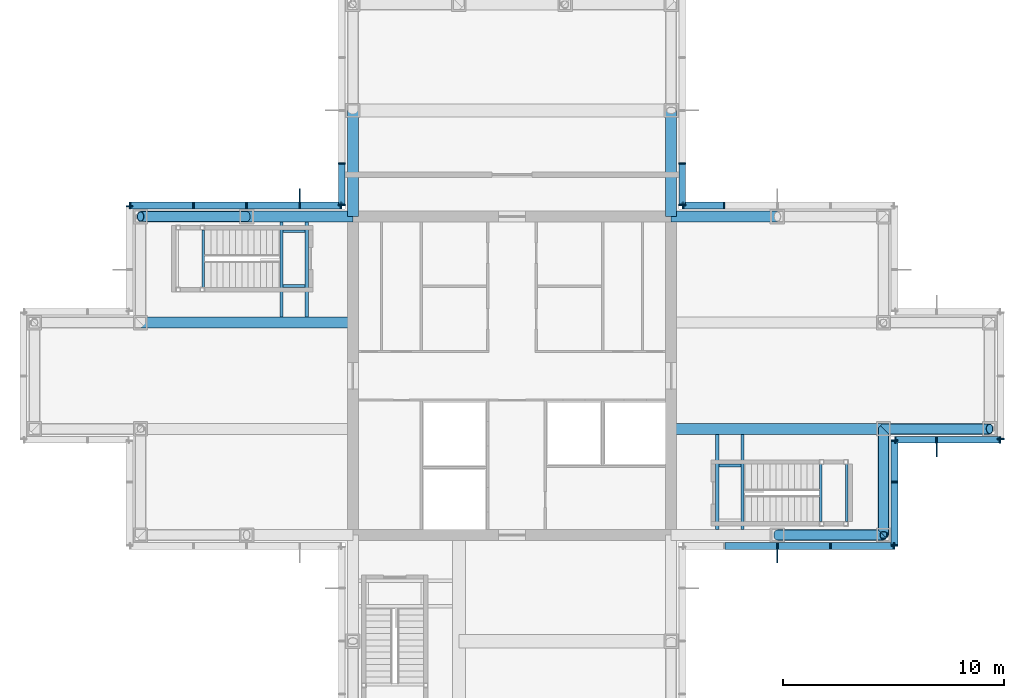
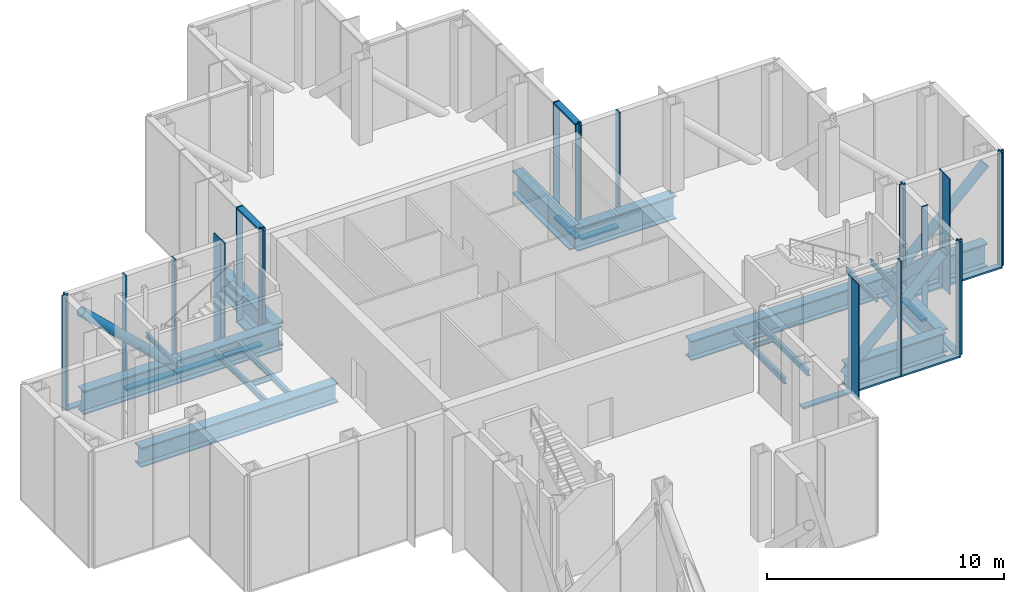
# One storey, part 7 of 13: 45 members, 20 beams, 9 elements without a shape of their own.
"""IFC4 building model written with IfcOpenShell, lengths in metres."""

from ifc_helpers import new_model, si_unit, direction, frame, origin, origin_2d, place, context, subcontext, project, spatial, rectangle, hollow_circle, i_section, extrude, material, material_profile, profile_set, type_object, element, aggregate, save


model = new_model("IFC4")

# Units and contexts
model_context = context("Model", 3, precision=1e-05, world=origin(), true_north=direction((0.0, 1.0)))
body_context = subcontext(model_context, "Body", "Model", "MODEL_VIEW")
ifc_project = project(units=[si_unit("LENGTHUNIT", "METRE"), si_unit("AREAUNIT", "SQUARE_METRE"), si_unit("VOLUMEUNIT", "CUBIC_METRE"), si_unit("PLANEANGLEUNIT", "RADIAN"), si_unit("MASSUNIT", "GRAM", prefix="KILO")], contexts=[model_context])

# Site, building, storey
site_placement = place(None, origin())
site = spatial("IfcSite", under=ifc_project, at=site_placement, CompositionType="ELEMENT")
building_placement = place(site_placement, origin())
building = spatial("IfcBuilding", under=site, at=building_placement, Name="Kvirike Care Tower", CompositionType="ELEMENT")
storey_placement = place(building_placement, frame((0.0, 0.0, 190.0)))
storey = spatial("IfcBuildingStorey", under=building, at=storey_placement, Name="L52", CompositionType="ELEMENT", Elevation=190.0)

# Members
ifc_material_1 = material(Name="Steel S355", Category="steel")
ifc_material_profile_1 = material_profile(ifc_material_1, hollow_circle(Radius=0.228515625, WallThickness=0.02490234375, at=origin_2d()), Name="CHS 457x25")
ifc_profile_set_1 = profile_set([ifc_material_profile_1], Name="Steel S355")
member_type_1 = type_object("IfcMemberType", Name="BELT TRUSS DIAGONAL CHS 457x25", PredefinedType="BRACE", material=ifc_profile_set_1)
member_1_placement = place(storey_placement, frame((33.60009765625, 28.800048828125, -0.85009765625), z_axis=(0.723472495583, 0.0, 0.690353205348), x_axis=(0.0, 1.0, 0.0)))
element("IfcMember", 1, at=member_1_placement, inside=storey, type_object=member_type_1, Name="Belt truss diagonal G10-G11 L52", PredefinedType="BRACE", context=body_context, shape_type="SweptSolid", body=[
    extrude(hollow_circle(Radius=0.228515625, WallThickness=0.02490234375, at=origin_2d()), origin(), (0.0, 0.0, 1.0), 6.63427734375),
])
for number, where, z_axis, x_axis, name in (
    (2, (38.39990234375, 33.60009765625, -0.85009765625), (0.0, -0.723490032929, 0.690334826191), (1.0, 0.0, 0.0), "Belt truss diagonal G11-H11 L52"),
    (3, (38.39990234375, 33.60009765625, -0.85009765625), (0.723490032929, 0.0, 0.690334826191), (0.0, 1.0, 0.0), "Belt truss diagonal H11-H12 L52"),
    (4, (9.60009765625, 43.199951171875, -0.85009765625), (-0.723490032929, 0.0, 0.690334826191), (0.0, -1.0, 0.0), "Belt truss diagonal K5-K4 L52"),
):
    element("IfcMember", number, at=place(storey_placement, frame(where, z_axis=z_axis, x_axis=x_axis)), inside=storey, type_object=member_type_1, Name=name, PredefinedType="BRACE", context=body_context, shape_type="SweptSolid", body=[
        extrude(hollow_circle(Radius=0.228515625, WallThickness=0.02490234375, at=origin_2d()), origin(), (0.0, 0.0, 1.0), 6.634521484375),
    ])

# Curtain wall, member
ifc_material_2 = material(Name="Anodised aluminium stick system", Category="aluminium")
curtain_wall_type = type_object("IfcCurtainWallType", Name="CW-L LOUVRED PLANT SCREEN", PredefinedType="NOTDEFINED", material=ifc_material_2)
curtain_wall_1_placement = place(storey_placement, origin())
curtain_wall_1 = element("IfcCurtainWall", 5, at=curtain_wall_1_placement, inside=storey, type_object=curtain_wall_type, Name="Curtain wall L52 face 1", PredefinedType="NOTDEFINED")
ifc_material_3 = material(Name="Bronze anodised aluminium fin", Category="aluminium")
ifc_material_profile_2 = material_profile(ifc_material_3, rectangle(XDim=0.050048828125, YDim=0.60009765625, at=origin_2d()), Name="BRONZE FIN 600")
ifc_profile_set_2 = profile_set([ifc_material_profile_2], Name="Bronze anodised aluminium fin")
member_type_2 = type_object("IfcMemberType", Name="BRONZE FIN 600", PredefinedType="USERDEFINED", material=ifc_profile_set_2)
member_2_placement = place(storey_placement, frame((33.60009765625, 27.85009765625, -1.449951171875), z_axis=(0.0, 0.0, 1.0), x_axis=(1.0, 0.0, 0.0)))
member_2 = element("IfcMember", 6, at=member_2_placement, type_object=member_type_2, Name="Bronze fin L52 face 1.3", ObjectType="FIN", PredefinedType="USERDEFINED", context=body_context, shape_type="SweptSolid", body=[
    extrude(rectangle(XDim=0.050048828125, YDim=0.60009765625, at=origin_2d()), origin(), (0.0, 0.0, 1.0), 5.949951171875),
])

curtain_wall_2_placement = place(storey_placement, origin())
curtain_wall_2 = element("IfcCurtainWall", 7, at=curtain_wall_2_placement, inside=storey, type_object=curtain_wall_type, Name="Curtain wall L52 face 3", PredefinedType="NOTDEFINED")
member_3_placement = place(storey_placement, frame((40.800048828125, 32.64990234375, -1.449951171875), z_axis=(0.0, 0.0, 1.0), x_axis=(1.0, 0.0, 0.0)))
member_3 = element("IfcMember", 8, at=member_3_placement, type_object=member_type_2, Name="Bronze fin L52 face 3.2", ObjectType="FIN", PredefinedType="USERDEFINED", context=body_context, shape_type="SweptSolid", body=[
    extrude(rectangle(XDim=0.050048828125, YDim=0.60009765625, at=origin_2d()), origin(), (0.0, 0.0, 1.0), 5.949951171875),
])

curtain_wall_3_placement = place(storey_placement, origin())
curtain_wall_3 = element("IfcCurtainWall", 9, at=curtain_wall_3_placement, inside=storey, type_object=curtain_wall_type, Name="Curtain wall L52 face 15", PredefinedType="NOTDEFINED")
member_4_placement = place(storey_placement, frame((12.0, 44.14990234375, -1.449951171875), z_axis=(0.0, 0.0, 1.0), x_axis=(-1.0, 0.0, 0.0)))
member_4 = element("IfcMember", 10, at=member_4_placement, type_object=member_type_2, Name="Bronze fin L52 face 15.2", ObjectType="FIN", PredefinedType="USERDEFINED", context=body_context, shape_type="SweptSolid", body=[
    extrude(rectangle(XDim=0.050048828125, YDim=0.60009765625, at=origin_2d()), origin(), (0.0, 0.0, 1.0), 5.949951171875),
])

# Member
ifc_material_4 = material(Name="Bronze anodised aluminium mullion", Category="aluminium")
ifc_material_profile_3 = material_profile(ifc_material_4, rectangle(XDim=0.06494140625, YDim=0.300048828125, at=origin_2d()), Name="CW-L MULLION 65x300")
ifc_profile_set_3 = profile_set([ifc_material_profile_3], Name="Bronze anodised aluminium mullion")
member_type_3 = type_object("IfcMemberType", Name="CW-L MULLION 65x300", PredefinedType="MULLION", material=ifc_profile_set_3)
member_5_placement = place(storey_placement, frame((33.60009765625, 28.300048828125, -1.449951171875), z_axis=(0.0, 0.0, 1.0), x_axis=(1.0, 0.0, 0.0)))
member_5 = element("IfcMember", 11, at=member_5_placement, type_object=member_type_3, Name="CW-L mullion L52 face 1.3", PredefinedType="MULLION", context=body_context, shape_type="SweptSolid", body=[
    extrude(rectangle(XDim=0.06494140625, YDim=0.300048828125, at=origin_2d()), origin(), (0.0, 0.0, 1.0), 5.949951171875),
])

member_6_placement = place(storey_placement, frame((36.0, 28.300048828125, -1.449951171875), z_axis=(0.0, 0.0, 1.0), x_axis=(1.0, 0.0, 0.0)))
member_6 = element("IfcMember", 12, at=member_6_placement, type_object=member_type_3, Name="CW-L mullion L52 face 1.4", PredefinedType="MULLION", context=body_context, shape_type="SweptSolid", body=[
    extrude(rectangle(XDim=0.06494140625, YDim=0.300048828125, at=origin_2d()), origin(), (0.0, 0.0, 1.0), 5.949951171875),
])

member_7_placement = place(storey_placement, frame((38.867431640625, 28.300048828125, -1.449951171875), z_axis=(0.0, 0.0, 1.0), x_axis=(1.0, 0.0, 0.0)))
member_7 = element("IfcMember", 13, at=member_7_placement, type_object=member_type_3, Name="CW-L mullion L52 face 1.5", PredefinedType="MULLION", context=body_context, shape_type="SweptSolid", body=[
    extrude(rectangle(XDim=0.06494140625, YDim=0.300048828125, at=origin_2d()), origin(), (0.0, 0.0, 1.0), 5.949951171875),
])

# Curtain wall, members
curtain_wall_4_placement = place(storey_placement, origin())
curtain_wall_4 = element("IfcCurtainWall", 14, at=curtain_wall_4_placement, inside=storey, type_object=curtain_wall_type, Name="Curtain wall L52 face 2", PredefinedType="NOTDEFINED")
member_8_placement = place(storey_placement, frame((38.89990234375, 28.33251953125, -1.449951171875), z_axis=(0.0, 0.0, 1.0), x_axis=(0.0, 1.0, 0.0)))
member_8 = element("IfcMember", 15, at=member_8_placement, type_object=member_type_3, Name="CW-L mullion L52 face 2.1", PredefinedType="MULLION", context=body_context, shape_type="SweptSolid", body=[
    extrude(rectangle(XDim=0.06494140625, YDim=0.300048828125, at=origin_2d()), origin(), (0.0, 0.0, 1.0), 5.949951171875),
])
member_9_placement = place(storey_placement, frame((38.89990234375, 31.199951171875, -1.449951171875), z_axis=(0.0, 0.0, 1.0), x_axis=(0.0, 1.0, 0.0)))
member_9 = element("IfcMember", 16, at=member_9_placement, type_object=member_type_3, Name="CW-L mullion L52 face 2.2", PredefinedType="MULLION", context=body_context, shape_type="SweptSolid", body=[
    extrude(rectangle(XDim=0.06494140625, YDim=0.300048828125, at=origin_2d()), origin(), (0.0, 0.0, 1.0), 5.949951171875),
])
member_10_placement = place(storey_placement, frame((38.89990234375, 33.0673828125, -1.449951171875), z_axis=(0.0, 0.0, 1.0), x_axis=(0.0, 1.0, 0.0)))
member_10 = element("IfcMember", 17, at=member_10_placement, type_object=member_type_3, Name="CW-L mullion L52 face 2.3", PredefinedType="MULLION", context=body_context, shape_type="SweptSolid", body=[
    extrude(rectangle(XDim=0.06494140625, YDim=0.300048828125, at=origin_2d()), origin(), (0.0, 0.0, 1.0), 5.949951171875),
])

# Member
member_11_placement = place(storey_placement, frame((38.9326171875, 33.10009765625, -1.449951171875), z_axis=(0.0, 0.0, 1.0), x_axis=(1.0, 0.0, 0.0)))
member_11 = element("IfcMember", 18, at=member_11_placement, type_object=member_type_3, Name="CW-L mullion L52 face 3.1", PredefinedType="MULLION", context=body_context, shape_type="SweptSolid", body=[
    extrude(rectangle(XDim=0.06494140625, YDim=0.300048828125, at=origin_2d()), origin(), (0.0, 0.0, 1.0), 5.949951171875),
])

member_12_placement = place(storey_placement, frame((40.800048828125, 33.10009765625, -1.449951171875), z_axis=(0.0, 0.0, 1.0), x_axis=(1.0, 0.0, 0.0)))
member_12 = element("IfcMember", 19, at=member_12_placement, type_object=member_type_3, Name="CW-L mullion L52 face 3.2", PredefinedType="MULLION", context=body_context, shape_type="SweptSolid", body=[
    extrude(rectangle(XDim=0.06494140625, YDim=0.300048828125, at=origin_2d()), origin(), (0.0, 0.0, 1.0), 5.949951171875),
])

member_13_placement = place(storey_placement, frame((43.66748046875, 33.10009765625, -1.449951171875), z_axis=(0.0, 0.0, 1.0), x_axis=(1.0, 0.0, 0.0)))
member_13 = element("IfcMember", 20, at=member_13_placement, type_object=member_type_3, Name="CW-L mullion L52 face 3.3", PredefinedType="MULLION", context=body_context, shape_type="SweptSolid", body=[
    extrude(rectangle(XDim=0.06494140625, YDim=0.300048828125, at=origin_2d()), origin(), (0.0, 0.0, 1.0), 5.949951171875),
])

# Curtain wall, member
curtain_wall_5_placement = place(storey_placement, origin())
curtain_wall_5 = element("IfcCurtainWall", 21, at=curtain_wall_5_placement, inside=storey, type_object=curtain_wall_type, Name="Curtain wall L52 face 4", PredefinedType="NOTDEFINED")
member_14_placement = place(storey_placement, frame((43.699951171875, 33.132568359375, -1.449951171875), z_axis=(0.0, 0.0, 1.0), x_axis=(0.0, 1.0, 0.0)))
member_14 = element("IfcMember", 22, at=member_14_placement, type_object=member_type_3, Name="CW-L mullion L52 face 4.1", PredefinedType="MULLION", context=body_context, shape_type="SweptSolid", body=[
    extrude(rectangle(XDim=0.06494140625, YDim=0.300048828125, at=origin_2d()), origin(), (0.0, 0.0, 1.0), 5.949951171875),
])
aggregate(curtain_wall_5, [member_14])

# Curtain wall, members
curtain_wall_6_placement = place(storey_placement, origin())
curtain_wall_6 = element("IfcCurtainWall", 23, at=curtain_wall_6_placement, inside=storey, type_object=curtain_wall_type, Name="Curtain wall L52 face 7", PredefinedType="NOTDEFINED")
member_15_placement = place(storey_placement, frame((31.199951171875, 43.699951171875, -1.449951171875), z_axis=(0.0, 0.0, 1.0), x_axis=(-1.0, 0.0, 0.0)))
member_15 = element("IfcMember", 24, at=member_15_placement, type_object=member_type_3, Name="CW-L mullion L52 face 7.4", PredefinedType="MULLION", context=body_context, shape_type="SweptSolid", body=[
    extrude(rectangle(XDim=0.06494140625, YDim=0.300048828125, at=origin_2d()), origin(), (0.0, 0.0, 1.0), 5.949951171875),
])
member_16_placement = place(storey_placement, frame((29.33251953125, 43.699951171875, -1.449951171875), z_axis=(0.0, 0.0, 1.0), x_axis=(-1.0, 0.0, 0.0)))
member_16 = element("IfcMember", 25, at=member_16_placement, type_object=member_type_3, Name="CW-L mullion L52 face 7.5", PredefinedType="MULLION", context=body_context, shape_type="SweptSolid", body=[
    extrude(rectangle(XDim=0.06494140625, YDim=0.300048828125, at=origin_2d()), origin(), (0.0, 0.0, 1.0), 5.949951171875),
])

curtain_wall_7_placement = place(storey_placement, origin())
curtain_wall_7 = element("IfcCurtainWall", 26, at=curtain_wall_7_placement, inside=storey, type_object=curtain_wall_type, Name="Curtain wall L52 face 8", PredefinedType="NOTDEFINED")
member_17_placement = place(storey_placement, frame((29.300048828125, 43.732421875, -1.449951171875), z_axis=(0.0, 0.0, 1.0), x_axis=(0.0, 1.0, 0.0)))
member_17 = element("IfcMember", 27, at=member_17_placement, type_object=member_type_3, Name="CW-L mullion L52 face 8.1", PredefinedType="MULLION", context=body_context, shape_type="SweptSolid", body=[
    extrude(rectangle(XDim=0.06494140625, YDim=0.300048828125, at=origin_2d()), origin(), (0.0, 0.0, 1.0), 5.949951171875),
])
member_18_placement = place(storey_placement, frame((29.300048828125, 45.60009765625, -1.449951171875), z_axis=(0.0, 0.0, 1.0), x_axis=(0.0, 1.0, 0.0)))
member_18 = element("IfcMember", 28, at=member_18_placement, type_object=member_type_3, Name="CW-L mullion L52 face 8.2", PredefinedType="MULLION", context=body_context, shape_type="SweptSolid", body=[
    extrude(rectangle(XDim=0.06494140625, YDim=0.300048828125, at=origin_2d()), origin(), (0.0, 0.0, 1.0), 5.949951171875),
])

curtain_wall_8_placement = place(storey_placement, origin())
curtain_wall_8 = element("IfcCurtainWall", 29, at=curtain_wall_8_placement, inside=storey, type_object=curtain_wall_type, Name="Curtain wall L52 face 14", PredefinedType="NOTDEFINED")
member_19_placement = place(storey_placement, frame((13.89990234375, 45.60009765625, -1.449951171875), z_axis=(0.0, 0.0, 1.0), x_axis=(0.0, -1.0, 0.0)))
member_19 = element("IfcMember", 30, at=member_19_placement, type_object=member_type_3, Name="CW-L mullion L52 face 14.4", PredefinedType="MULLION", context=body_context, shape_type="SweptSolid", body=[
    extrude(rectangle(XDim=0.06494140625, YDim=0.300048828125, at=origin_2d()), origin(), (0.0, 0.0, 1.0), 5.949951171875),
])
member_20_placement = place(storey_placement, frame((13.89990234375, 43.732421875, -1.449951171875), z_axis=(0.0, 0.0, 1.0), x_axis=(0.0, -1.0, 0.0)))
member_20 = element("IfcMember", 31, at=member_20_placement, type_object=member_type_3, Name="CW-L mullion L52 face 14.5", PredefinedType="MULLION", context=body_context, shape_type="SweptSolid", body=[
    extrude(rectangle(XDim=0.06494140625, YDim=0.300048828125, at=origin_2d()), origin(), (0.0, 0.0, 1.0), 5.949951171875),
])

# Member
member_21_placement = place(storey_placement, frame((13.867431640625, 43.699951171875, -1.449951171875), z_axis=(0.0, 0.0, 1.0), x_axis=(-1.0, 0.0, 0.0)))
member_21 = element("IfcMember", 32, at=member_21_placement, type_object=member_type_3, Name="CW-L mullion L52 face 15.1", PredefinedType="MULLION", context=body_context, shape_type="SweptSolid", body=[
    extrude(rectangle(XDim=0.06494140625, YDim=0.300048828125, at=origin_2d()), origin(), (0.0, 0.0, 1.0), 5.949951171875),
])

member_22_placement = place(storey_placement, frame((12.0, 43.699951171875, -1.449951171875), z_axis=(0.0, 0.0, 1.0), x_axis=(-1.0, 0.0, 0.0)))
member_22 = element("IfcMember", 33, at=member_22_placement, type_object=member_type_3, Name="CW-L mullion L52 face 15.2", PredefinedType="MULLION", context=body_context, shape_type="SweptSolid", body=[
    extrude(rectangle(XDim=0.06494140625, YDim=0.300048828125, at=origin_2d()), origin(), (0.0, 0.0, 1.0), 5.949951171875),
])

member_23_placement = place(storey_placement, frame((9.60009765625, 43.699951171875, -1.449951171875), z_axis=(0.0, 0.0, 1.0), x_axis=(-1.0, 0.0, 0.0)))
member_23 = element("IfcMember", 34, at=member_23_placement, type_object=member_type_3, Name="CW-L mullion L52 face 15.3", PredefinedType="MULLION", context=body_context, shape_type="SweptSolid", body=[
    extrude(rectangle(XDim=0.06494140625, YDim=0.300048828125, at=origin_2d()), origin(), (0.0, 0.0, 1.0), 5.949951171875),
])

member_24_placement = place(storey_placement, frame((7.199951171875, 43.699951171875, -1.449951171875), z_axis=(0.0, 0.0, 1.0), x_axis=(-1.0, 0.0, 0.0)))
member_24 = element("IfcMember", 35, at=member_24_placement, type_object=member_type_3, Name="CW-L mullion L52 face 15.4", PredefinedType="MULLION", context=body_context, shape_type="SweptSolid", body=[
    extrude(rectangle(XDim=0.06494140625, YDim=0.300048828125, at=origin_2d()), origin(), (0.0, 0.0, 1.0), 5.949951171875),
])

member_25_placement = place(storey_placement, frame((4.33251953125, 43.699951171875, -1.449951171875), z_axis=(0.0, 0.0, 1.0), x_axis=(-1.0, 0.0, 0.0)))
member_25 = element("IfcMember", 36, at=member_25_placement, type_object=member_type_3, Name="CW-L mullion L52 face 15.5", PredefinedType="MULLION", context=body_context, shape_type="SweptSolid", body=[
    extrude(rectangle(XDim=0.06494140625, YDim=0.300048828125, at=origin_2d()), origin(), (0.0, 0.0, 1.0), 5.949951171875),
])

# Curtain wall, member
curtain_wall_9_placement = place(storey_placement, origin())
curtain_wall_9 = element("IfcCurtainWall", 37, at=curtain_wall_9_placement, inside=storey, type_object=curtain_wall_type, Name="Curtain wall L52 face 16", PredefinedType="NOTDEFINED")
member_26_placement = place(storey_placement, frame((4.300048828125, 43.66748046875, -1.449951171875), z_axis=(0.0, 0.0, 1.0), x_axis=(0.0, -1.0, 0.0)))
member_26 = element("IfcMember", 38, at=member_26_placement, type_object=member_type_3, Name="CW-L mullion L52 face 16.1", PredefinedType="MULLION", context=body_context, shape_type="SweptSolid", body=[
    extrude(rectangle(XDim=0.06494140625, YDim=0.300048828125, at=origin_2d()), origin(), (0.0, 0.0, 1.0), 5.949951171875),
])
aggregate(curtain_wall_9, [member_26])

# Member
ifc_material_5 = material(Name="Bronze anodised aluminium transom", Category="aluminium")
ifc_material_profile_4 = material_profile(ifc_material_5, rectangle(XDim=0.300048828125, YDim=0.10009765625, at=origin_2d()), Name="CW-L TRANSOM 300x100")
ifc_profile_set_4 = profile_set([ifc_material_profile_4], Name="Bronze anodised aluminium transom")
member_type_4 = type_object("IfcMemberType", Name="CW-L TRANSOM 300x100", PredefinedType="USERDEFINED", material=ifc_profile_set_4)
member_27_placement = place(storey_placement, frame((31.232421875, 28.300048828125, -1.39990234375), z_axis=(1.0, 0.0, 0.0), x_axis=(0.0, 1.0, 0.0)))
member_27 = element("IfcMember", 39, at=member_27_placement, type_object=member_type_4, Name="CW-L sill transom L52 face 1.2", ObjectType="TRANSOM", PredefinedType="USERDEFINED", context=body_context, shape_type="SweptSolid", body=[
    extrude(rectangle(XDim=0.300048828125, YDim=0.10009765625, at=origin_2d()), origin(), (0.0, 0.0, 1.0), 2.3349609375),
])

member_28_placement = place(storey_placement, frame((33.632568359375, 28.300048828125, -1.39990234375), z_axis=(1.0, 0.0, 0.0), x_axis=(0.0, 1.0, 0.0)))
member_28 = element("IfcMember", 40, at=member_28_placement, type_object=member_type_4, Name="CW-L sill transom L52 face 1.3", ObjectType="TRANSOM", PredefinedType="USERDEFINED", context=body_context, shape_type="SweptSolid", body=[
    extrude(rectangle(XDim=0.300048828125, YDim=0.10009765625, at=origin_2d()), origin(), (0.0, 0.0, 1.0), 2.3349609375),
])

member_29_placement = place(storey_placement, frame((36.032470703125, 28.300048828125, -1.39990234375), z_axis=(1.0, 0.0, 0.0), x_axis=(0.0, 1.0, 0.0)))
member_29 = element("IfcMember", 41, at=member_29_placement, type_object=member_type_4, Name="CW-L sill transom L52 face 1.4", ObjectType="TRANSOM", PredefinedType="USERDEFINED", context=body_context, shape_type="SweptSolid", body=[
    extrude(rectangle(XDim=0.300048828125, YDim=0.10009765625, at=origin_2d()), origin(), (0.0, 0.0, 1.0), 2.802490234375),
])

aggregate(curtain_wall_1, [member_5, member_2, member_6, member_7, member_27, member_28, member_29])

member_30_placement = place(storey_placement, frame((38.89990234375, 28.364990234375, -1.39990234375), z_axis=(0.0, 1.0, 0.0), x_axis=(-1.0, 0.0, 0.0)))
member_30 = element("IfcMember", 42, at=member_30_placement, type_object=member_type_4, Name="CW-L sill transom L52 face 2.1", ObjectType="TRANSOM", PredefinedType="USERDEFINED", context=body_context, shape_type="SweptSolid", body=[
    extrude(rectangle(XDim=0.300048828125, YDim=0.10009765625, at=origin_2d()), origin(), (0.0, 0.0, 1.0), 2.802490234375),
])

member_31_placement = place(storey_placement, frame((38.89990234375, 31.232421875, -1.39990234375), z_axis=(0.0, 1.0, 0.0), x_axis=(-1.0, 0.0, 0.0)))
member_31 = element("IfcMember", 43, at=member_31_placement, type_object=member_type_4, Name="CW-L sill transom L52 face 2.2", ObjectType="TRANSOM", PredefinedType="USERDEFINED", context=body_context, shape_type="SweptSolid", body=[
    extrude(rectangle(XDim=0.300048828125, YDim=0.10009765625, at=origin_2d()), origin(), (0.0, 0.0, 1.0), 1.802490234375),
])

aggregate(curtain_wall_4, [member_8, member_9, member_10, member_30, member_31])

member_32_placement = place(storey_placement, frame((38.965087890625, 33.10009765625, -1.39990234375), z_axis=(1.0, 0.0, 0.0), x_axis=(0.0, 1.0, 0.0)))
member_32 = element("IfcMember", 44, at=member_32_placement, type_object=member_type_4, Name="CW-L sill transom L52 face 3.1", ObjectType="TRANSOM", PredefinedType="USERDEFINED", context=body_context, shape_type="SweptSolid", body=[
    extrude(rectangle(XDim=0.300048828125, YDim=0.10009765625, at=origin_2d()), origin(), (0.0, 0.0, 1.0), 1.802490234375),
])

member_33_placement = place(storey_placement, frame((40.83251953125, 33.10009765625, -1.39990234375), z_axis=(1.0, 0.0, 0.0), x_axis=(0.0, 1.0, 0.0)))
member_33 = element("IfcMember", 45, at=member_33_placement, type_object=member_type_4, Name="CW-L sill transom L52 face 3.2", ObjectType="TRANSOM", PredefinedType="USERDEFINED", context=body_context, shape_type="SweptSolid", body=[
    extrude(rectangle(XDim=0.300048828125, YDim=0.10009765625, at=origin_2d()), origin(), (0.0, 0.0, 1.0), 2.802490234375),
])

aggregate(curtain_wall_2, [member_11, member_12, member_3, member_13, member_32, member_33])

member_34_placement = place(storey_placement, frame((31.16748046875, 43.699951171875, -1.39990234375), z_axis=(-1.0, 0.0, 0.0), x_axis=(0.0, -1.0, 0.0)))
member_34 = element("IfcMember", 46, at=member_34_placement, type_object=member_type_4, Name="CW-L sill transom L52 face 7.4", ObjectType="TRANSOM", PredefinedType="USERDEFINED", context=body_context, shape_type="SweptSolid", body=[
    extrude(rectangle(XDim=0.300048828125, YDim=0.10009765625, at=origin_2d()), origin(), (0.0, 0.0, 1.0), 1.802490234375),
])

aggregate(curtain_wall_6, [member_15, member_16, member_34])

member_35_placement = place(storey_placement, frame((29.300048828125, 43.764892578125, -1.39990234375), z_axis=(0.0, 1.0, 0.0), x_axis=(-1.0, 0.0, 0.0)))
member_35 = element("IfcMember", 47, at=member_35_placement, type_object=member_type_4, Name="CW-L sill transom L52 face 8.1", ObjectType="TRANSOM", PredefinedType="USERDEFINED", context=body_context, shape_type="SweptSolid", body=[
    extrude(rectangle(XDim=0.300048828125, YDim=0.10009765625, at=origin_2d()), origin(), (0.0, 0.0, 1.0), 1.802490234375),
])

member_36_placement = place(storey_placement, frame((29.300048828125, 43.764892578125, 4.449951171875), z_axis=(0.0, 1.0, 0.0), x_axis=(-1.0, 0.0, 0.0)))
member_36 = element("IfcMember", 48, at=member_36_placement, type_object=member_type_4, Name="CW-L head transom L52 face 8.1", ObjectType="TRANSOM", PredefinedType="USERDEFINED", context=body_context, shape_type="SweptSolid", body=[
    extrude(rectangle(XDim=0.300048828125, YDim=0.10009765625, at=origin_2d()), origin(), (0.0, 0.0, 1.0), 1.802490234375),
])

aggregate(curtain_wall_7, [member_17, member_18, member_35, member_36])

member_37_placement = place(storey_placement, frame((13.89990234375, 45.5673828125, -1.39990234375), z_axis=(0.0, -1.0, 0.0), x_axis=(1.0, 0.0, 0.0)))
member_37 = element("IfcMember", 49, at=member_37_placement, type_object=member_type_4, Name="CW-L sill transom L52 face 14.4", ObjectType="TRANSOM", PredefinedType="USERDEFINED", context=body_context, shape_type="SweptSolid", body=[
    extrude(rectangle(XDim=0.300048828125, YDim=0.10009765625, at=origin_2d()), origin(), (0.0, 0.0, 1.0), 1.802490234375),
])

member_38_placement = place(storey_placement, frame((13.89990234375, 45.5673828125, 4.449951171875), z_axis=(0.0, -1.0, 0.0), x_axis=(1.0, 0.0, 0.0)))
member_38 = element("IfcMember", 50, at=member_38_placement, type_object=member_type_4, Name="CW-L head transom L52 face 14.4", ObjectType="TRANSOM", PredefinedType="USERDEFINED", context=body_context, shape_type="SweptSolid", body=[
    extrude(rectangle(XDim=0.300048828125, YDim=0.10009765625, at=origin_2d()), origin(), (0.0, 0.0, 1.0), 1.802490234375),
])

aggregate(curtain_wall_8, [member_19, member_20, member_37, member_38])

member_39_placement = place(storey_placement, frame((13.8349609375, 43.699951171875, -1.39990234375), z_axis=(-1.0, 0.0, 0.0), x_axis=(0.0, -1.0, 0.0)))
member_39 = element("IfcMember", 51, at=member_39_placement, type_object=member_type_4, Name="CW-L sill transom L52 face 15.1", ObjectType="TRANSOM", PredefinedType="USERDEFINED", context=body_context, shape_type="SweptSolid", body=[
    extrude(rectangle(XDim=0.300048828125, YDim=0.10009765625, at=origin_2d()), origin(), (0.0, 0.0, 1.0), 1.802490234375),
])

member_40_placement = place(storey_placement, frame((11.967529296875, 43.699951171875, -1.39990234375), z_axis=(-1.0, 0.0, 0.0), x_axis=(0.0, -1.0, 0.0)))
member_40 = element("IfcMember", 52, at=member_40_placement, type_object=member_type_4, Name="CW-L sill transom L52 face 15.2", ObjectType="TRANSOM", PredefinedType="USERDEFINED", context=body_context, shape_type="SweptSolid", body=[
    extrude(rectangle(XDim=0.300048828125, YDim=0.10009765625, at=origin_2d()), origin(), (0.0, 0.0, 1.0), 2.3349609375),
])

member_41_placement = place(storey_placement, frame((9.5673828125, 43.699951171875, -1.39990234375), z_axis=(-1.0, 0.0, 0.0), x_axis=(0.0, -1.0, 0.0)))
member_41 = element("IfcMember", 53, at=member_41_placement, type_object=member_type_4, Name="CW-L sill transom L52 face 15.3", ObjectType="TRANSOM", PredefinedType="USERDEFINED", context=body_context, shape_type="SweptSolid", body=[
    extrude(rectangle(XDim=0.300048828125, YDim=0.10009765625, at=origin_2d()), origin(), (0.0, 0.0, 1.0), 2.3349609375),
])

member_42_placement = place(storey_placement, frame((7.16748046875, 43.699951171875, -1.39990234375), z_axis=(-1.0, 0.0, 0.0), x_axis=(0.0, -1.0, 0.0)))
member_42 = element("IfcMember", 54, at=member_42_placement, type_object=member_type_4, Name="CW-L sill transom L52 face 15.4", ObjectType="TRANSOM", PredefinedType="USERDEFINED", context=body_context, shape_type="SweptSolid", body=[
    extrude(rectangle(XDim=0.300048828125, YDim=0.10009765625, at=origin_2d()), origin(), (0.0, 0.0, 1.0), 2.802490234375),
])

aggregate(curtain_wall_3, [member_21, member_22, member_4, member_23, member_24, member_25, member_39, member_40, member_41, member_42])

# Beams
ifc_material_6 = material(Name="Steel S355", Category="steel")
ifc_material_profile_5 = material_profile(ifc_material_6, i_section(OverallWidth=0.5, OverallDepth=1.0, WebThickness=0.030029296875, FlangeThickness=0.06005859375, at=origin_2d()), Name="PG 1000x500x30x60")
ifc_profile_set_5 = profile_set([ifc_material_profile_5], Name="Steel S355")
beam_type_1 = type_object("IfcBeamType", Name="PLANT FLOOR GIRDER PG 1000x500x30x60", PredefinedType="BEAM", material=ifc_profile_set_5)
for number, where, z_axis, x_axis, name in (
    (55, (28.800048828125, 33.60009765625, -0.75), (1.0, 0.0, 0.0), (0.0, 1.0, 0.0), "Plant Floor Girder H9-H11 L52"),
    (56, (4.800048828125, 38.39990234375, -0.75), (1.0, 0.0, 0.0), (0.0, 1.0, 0.0), "Plant Floor Girder J4-J6 L52"),
):
    element("IfcBeam", number, at=place(storey_placement, frame(where, z_axis=z_axis, x_axis=x_axis)), inside=storey, type_object=beam_type_1, Name=name, PredefinedType="BEAM", context=body_context, shape_type="SweptSolid", body=[
        extrude(i_section(OverallWidth=0.5, OverallDepth=1.0, WebThickness=0.030029296875, FlangeThickness=0.06005859375, at=origin_2d()), origin(), (0.0, 0.0, 1.0), 9.599853515625),
    ])
ifc_material_7 = material(Name="Steel S355", Category="steel")
ifc_material_profile_6 = material_profile(ifc_material_7, i_section(OverallWidth=0.5, OverallDepth=1.199951171875, WebThickness=0.030029296875, FlangeThickness=0.06005859375, at=origin_2d()), Name="PG 1200x500x30x60")
ifc_profile_set_6 = profile_set([ifc_material_profile_6], Name="Steel S355")
beam_type_2 = type_object("IfcBeamType", Name="SPANDREL PG 1200x500x30x60", PredefinedType="SPANDREL", material=ifc_profile_set_6)
beam_1_placement = place(storey_placement, frame((33.60009765625, 28.800048828125, -0.85009765625), z_axis=(1.0, 0.0, 0.0), x_axis=(0.0, 1.0, 0.0)))
element("IfcBeam", 57, at=beam_1_placement, inside=storey, type_object=beam_type_2, Name="Spandrel G10-G11 L52", PredefinedType="SPANDREL", context=body_context, shape_type="SweptSolid", body=[
    extrude(i_section(OverallWidth=0.5, OverallDepth=1.199951171875, WebThickness=0.030029296875, FlangeThickness=0.06005859375, at=origin_2d()), origin(), (0.0, 0.0, 1.0), 4.7998046875),
])
for number, where, z_axis, x_axis, name in (
    (58, (38.39990234375, 33.60009765625, -0.85009765625), (1.0, 0.0, 0.0), (0.0, 1.0, 0.0), "Spandrel H11-H12 L52"),
    (59, (4.800048828125, 43.199951171875, -0.85009765625), (1.0, 0.0, 0.0), (0.0, 1.0, 0.0), "Spandrel K4-K5 L52"),
):
    element("IfcBeam", number, at=place(storey_placement, frame(where, z_axis=z_axis, x_axis=x_axis)), inside=storey, type_object=beam_type_2, Name=name, PredefinedType="SPANDREL", context=body_context, shape_type="SweptSolid", body=[
        extrude(i_section(OverallWidth=0.5, OverallDepth=1.199951171875, WebThickness=0.030029296875, FlangeThickness=0.06005859375, at=origin_2d()), origin(), (0.0, 0.0, 1.0), 4.800048828125),
    ])
beam_2_placement = place(storey_placement, frame((9.60009765625, 43.199951171875, -0.85009765625), z_axis=(1.0, 0.0, 0.0), x_axis=(0.0, 1.0, 0.0)))
element("IfcBeam", 60, at=beam_2_placement, inside=storey, type_object=beam_type_2, Name="Spandrel K5-K6 L52", PredefinedType="SPANDREL", context=body_context, shape_type="SweptSolid", body=[
    extrude(i_section(OverallWidth=0.5, OverallDepth=1.199951171875, WebThickness=0.030029296875, FlangeThickness=0.06005859375, at=origin_2d()), origin(), (0.0, 0.0, 1.0), 4.7998046875),
])
for number, where, z_axis, x_axis, name in (
    (61, (28.800048828125, 43.199951171875, -0.85009765625), (1.0, 0.0, 0.0), (0.0, 1.0, 0.0), "Spandrel K9-K10 L52"),
    (62, (14.39990234375, 43.199951171875, -0.85009765625), (0.0, 1.0, 0.0), (-1.0, 0.0, 0.0), "Spandrel K6-L6 L52"),
    (63, (28.800048828125, 43.199951171875, -0.85009765625), (0.0, 1.0, 0.0), (-1.0, 0.0, 0.0), "Spandrel K9-L9 L52"),
    (64, (38.39990234375, 28.800048828125, -0.85009765625), (0.0, 1.0, 0.0), (-1.0, 0.0, 0.0), "Spandrel G11-H11 L52"),
):
    element("IfcBeam", number, at=place(storey_placement, frame(where, z_axis=z_axis, x_axis=x_axis)), inside=storey, type_object=beam_type_2, Name=name, PredefinedType="SPANDREL", context=body_context, shape_type="SweptSolid", body=[
        extrude(i_section(OverallWidth=0.5, OverallDepth=1.199951171875, WebThickness=0.030029296875, FlangeThickness=0.06005859375, at=origin_2d()), origin(), (0.0, 0.0, 1.0), 4.800048828125),
    ])
ifc_material_8 = material(Name="Steel S355", Category="steel")
ifc_material_profile_7 = material_profile(ifc_material_8, i_section(OverallWidth=0.1201171875, OverallDepth=0.239990234375, WebThickness=0.006103515625, FlangeThickness=0.009765625, FilletRadius=0.014892578125, at=origin_2d()), Name="IPE 240")
ifc_profile_set_7 = profile_set([ifc_material_profile_7], Name="Steel S355")
beam_type_3 = type_object("IfcBeamType", Name="STAIR LANDING BEAM IPE 240", PredefinedType="BEAM", material=ifc_profile_set_7)
beam_3_placement = place(storey_placement, frame((7.639892578125, 42.60009765625, 1.929931640625), z_axis=(0.0, -1.0, 0.0), x_axis=(1.0, 0.0, 0.0)))
element("IfcBeam", 65, at=beam_3_placement, inside=storey, type_object=beam_type_3, Name="Stair 1 landing beam front L52", PredefinedType="BEAM", context=body_context, shape_type="SweptSolid", body=[
    extrude(i_section(OverallWidth=0.1201171875, OverallDepth=0.239990234375, WebThickness=0.006103515625, FlangeThickness=0.009765625, FilletRadius=0.014892578125, at=origin_2d()), origin(), (0.0, 0.0, 1.0), 2.60009765625),
])
for number, where, z_axis, x_axis, name in (
    (66, (11.25, 42.5400390625, -0.3701171875), (1.0, 0.0, 0.0), (0.0, 1.0, 0.0), "Stair 1 landing edge beam 1 L52"),
    (67, (11.25, 40.06005859375, -0.3701171875), (1.0, 0.0, 0.0), (0.0, 1.0, 0.0), "Stair 1 landing edge beam 2 L52"),
):
    element("IfcBeam", number, at=place(storey_placement, frame(where, z_axis=z_axis, x_axis=x_axis)), inside=storey, type_object=beam_type_3, Name=name, PredefinedType="BEAM", context=body_context, shape_type="SweptSolid", body=[
        extrude(i_section(OverallWidth=0.1201171875, OverallDepth=0.239990234375, WebThickness=0.006103515625, FlangeThickness=0.009765625, FilletRadius=0.014892578125, at=origin_2d()), origin(), (0.0, 0.0, 1.0), 1.0),
    ])
for number, where, z_axis, x_axis, name in (
    (68, (36.739990234375, 29.39990234375, 1.929931640625), (0.0, 1.0, 0.0), (-1.0, 0.0, 0.0), "Stair 2 landing beam back L52"),
    (69, (35.56005859375, 29.39990234375, 1.929931640625), (0.0, 1.0, 0.0), (-1.0, 0.0, 0.0), "Stair 2 landing beam front L52"),
):
    element("IfcBeam", number, at=place(storey_placement, frame(where, z_axis=z_axis, x_axis=x_axis)), inside=storey, type_object=beam_type_3, Name=name, PredefinedType="BEAM", context=body_context, shape_type="SweptSolid", body=[
        extrude(i_section(OverallWidth=0.1201171875, OverallDepth=0.239990234375, WebThickness=0.006103515625, FlangeThickness=0.009765625, FilletRadius=0.014892578125, at=origin_2d()), origin(), (0.0, 0.0, 1.0), 2.60009765625),
    ])
beam_4_placement = place(storey_placement, frame((31.949951171875, 31.93994140625, -0.3701171875), z_axis=(-1.0, 0.0, 0.0), x_axis=(0.0, -1.0, 0.0)))
element("IfcBeam", 70, at=beam_4_placement, inside=storey, type_object=beam_type_3, Name="Stair 2 landing edge beam 2 L52", PredefinedType="BEAM", context=body_context, shape_type="SweptSolid", body=[
    extrude(i_section(OverallWidth=0.1201171875, OverallDepth=0.239990234375, WebThickness=0.006103515625, FlangeThickness=0.009765625, FilletRadius=0.014892578125, at=origin_2d()), origin(), (0.0, 0.0, 1.0), 1.0),
])
ifc_material_9 = material(Name="Steel S355", Category="steel")
ifc_material_profile_8 = material_profile(ifc_material_9, i_section(OverallWidth=0.14990234375, OverallDepth=0.300048828125, WebThickness=0.007080078125, FlangeThickness=0.0107421875, FilletRadius=0.014892578125, at=origin_2d()), Name="IPE 300")
ifc_profile_set_8 = profile_set([ifc_material_profile_8], Name="Steel S355")
beam_type_4 = type_object("IfcBeamType", Name="STAIR TRIMMER IPE 300", PredefinedType="BEAM", material=ifc_profile_set_8)
for number, where, z_axis, x_axis, name in (
    (71, (11.175048828125, 42.949951171875, -0.39990234375), (0.0, -1.0, 0.0), (1.0, 0.0, 0.0), "Stair 1 trimmer 1 L52"),
    (72, (12.324951171875, 42.949951171875, -0.39990234375), (0.0, -1.0, 0.0), (1.0, 0.0, 0.0), "Stair 1 trimmer 2 L52"),
    (73, (32.02490234375, 29.050048828125, -0.39990234375), (0.0, 1.0, 0.0), (-1.0, 0.0, 0.0), "Stair 2 trimmer 1 L52"),
    (74, (30.875, 29.050048828125, -0.39990234375), (0.0, 1.0, 0.0), (-1.0, 0.0, 0.0), "Stair 2 trimmer 2 L52"),
):
    element("IfcBeam", number, at=place(storey_placement, frame(where, z_axis=z_axis, x_axis=x_axis)), inside=storey, type_object=beam_type_4, Name=name, PredefinedType="BEAM", context=body_context, shape_type="SweptSolid", body=[
        extrude(i_section(OverallWidth=0.14990234375, OverallDepth=0.300048828125, WebThickness=0.007080078125, FlangeThickness=0.0107421875, FilletRadius=0.014892578125, at=origin_2d()), origin(), (0.0, 0.0, 1.0), 4.300048828125),
    ])

save(model, "model.ifc")
